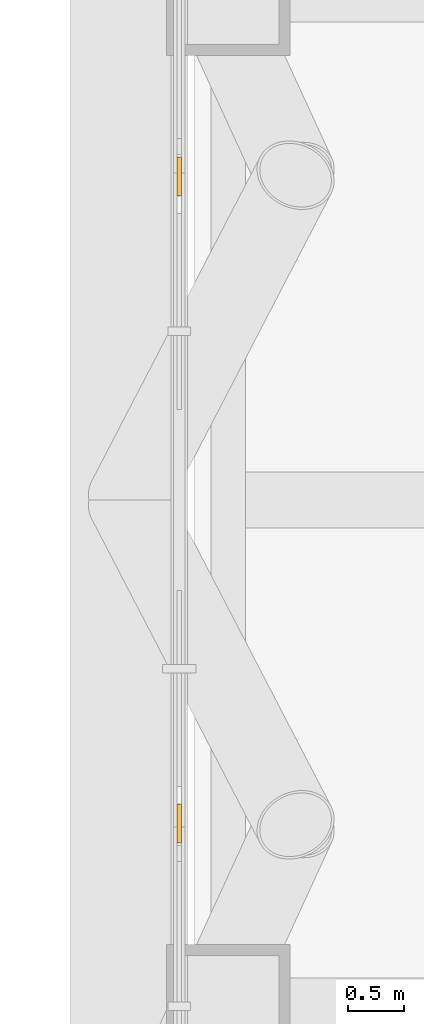
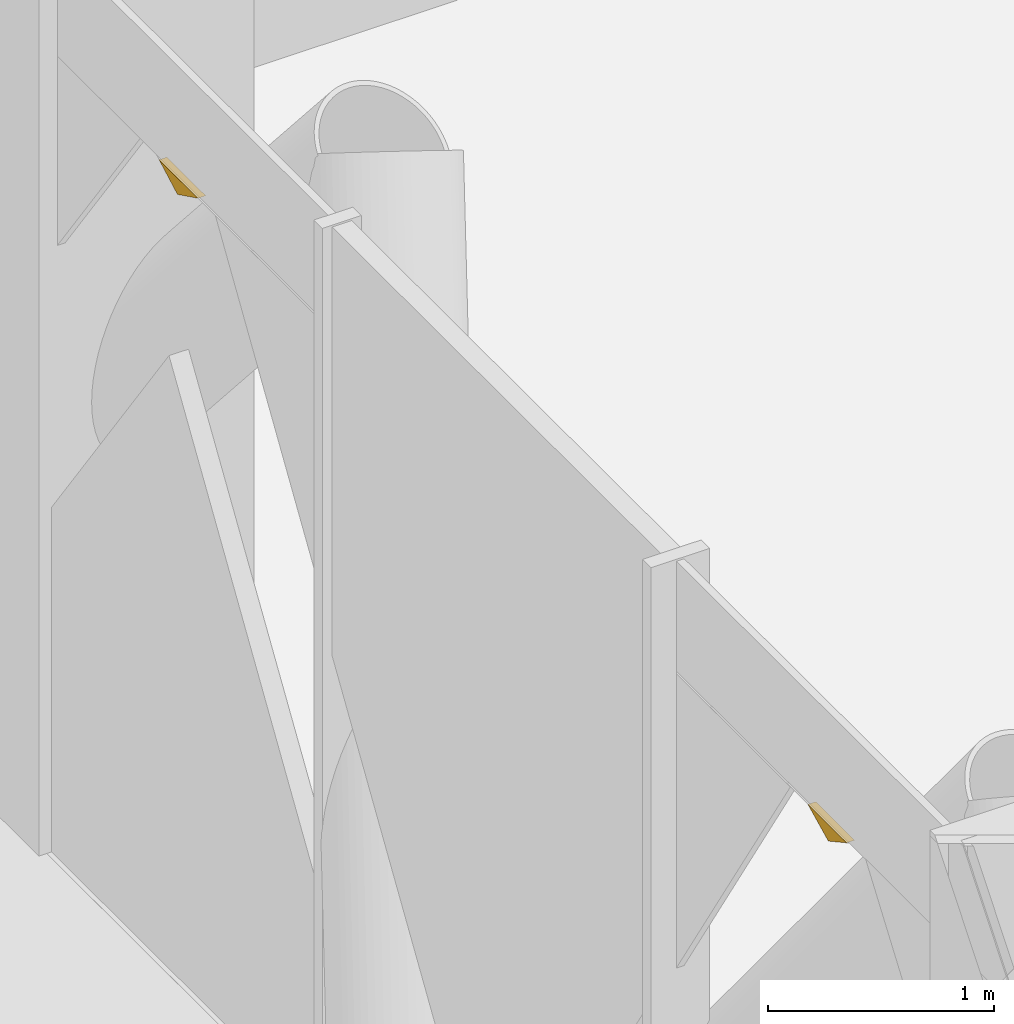
# One storey, part 22 of 29: 2 coverings.
"""IFC4 building model written with IfcOpenShell, lengths in metres."""

from ifc_helpers import new_model, si_unit, direction, frame, origin, place, context, subcontext, project, spatial, polyline, outline, extrude, material, layer, layer_set, type_object, element, save


model = new_model("IFC4")

# Units and contexts
model_context = context("Model", 3, precision=1e-05, world=origin(), true_north=direction((0.0, 1.0)))
body_context = subcontext(model_context, "Body", "Model", "MODEL_VIEW")
ifc_project = project(units=[si_unit("LENGTHUNIT", "METRE"), si_unit("AREAUNIT", "SQUARE_METRE"), si_unit("VOLUMEUNIT", "CUBIC_METRE"), si_unit("PLANEANGLEUNIT", "RADIAN"), si_unit("MASSUNIT", "GRAM", prefix="KILO")], contexts=[model_context])

# Site, building, storey
site_placement = place(None, origin())
site = spatial("IfcSite", under=ifc_project, at=site_placement, CompositionType="ELEMENT")
building_placement = place(site_placement, origin())
building = spatial("IfcBuilding", under=site, at=building_placement, Name="Malebo Sky Hospital", CompositionType="ELEMENT")
storey_placement = place(building_placement, frame((0.0, 0.0, 172.0)))
storey = spatial("IfcBuildingStorey", under=building, at=storey_placement, Name="L41", CompositionType="ELEMENT", Elevation=172.0)

# Coverings
ifc_material = material(Name="Anodised aluminium, natural silver insulated infill panel", Category="aluminium")
ifc_layer = layer(ifc_material, 0.0400390625)
ifc_layer_set = layer_set([ifc_layer], Name="BRACE INFILL PANEL 40")
covering_type = type_object("IfcCoveringType", Name="BRACE INFILL PANEL 40", PredefinedType="CLADDING", material=ifc_layer_set)
covering_1_placement = place(storey_placement, frame((35.864990234375, 59.12353515625, 4.29296875), z_axis=(0.0, 0.0, 1.0), x_axis=(0.0, 1.0, 0.0)))
element("IfcCovering", 1, at=covering_1_placement, inside=storey, type_object=covering_type, Name="Brace infill panel 7.4", PredefinedType="CLADDING", context=body_context, shape_type="SweptSolid", body=[
    extrude(outline(polyline([(-0.00927734375, 0.0), (0.171875, 0.089111328125), (-0.171875, 0.089111328125), (-0.00927734375, 0.0)])), frame((0.0, 0.02001953125, 0.0), z_axis=(0.0, -1.0, 0.0), x_axis=(1.0, 0.0, 0.0)), (0.0, 0.0, 1.0), 0.0400390625),
])
covering_2_placement = place(storey_placement, frame((35.864990234375, 64.87646484375, 4.29296875), z_axis=(0.0, 0.0, 1.0), x_axis=(0.0, 1.0, 0.0)))
element("IfcCovering", 2, at=covering_2_placement, inside=storey, type_object=covering_type, Name="Brace infill panel 9.4", PredefinedType="CLADDING", context=body_context, shape_type="SweptSolid", body=[
    extrude(outline(polyline([(0.00927734375, 0.0), (0.171875, 0.089111328125), (-0.171875, 0.089111328125), (0.00927734375, 0.0)])), frame((0.0, 0.02001953125, 0.0), z_axis=(0.0, -1.0, 0.0), x_axis=(1.0, 0.0, 0.0)), (0.0, 0.0, 1.0), 0.0400390625),
])

save(model, "model.ifc")
